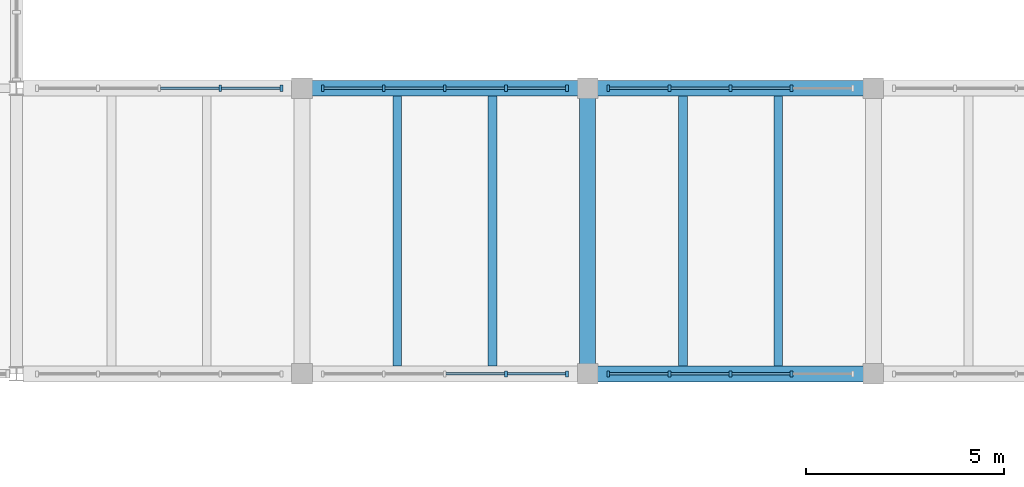
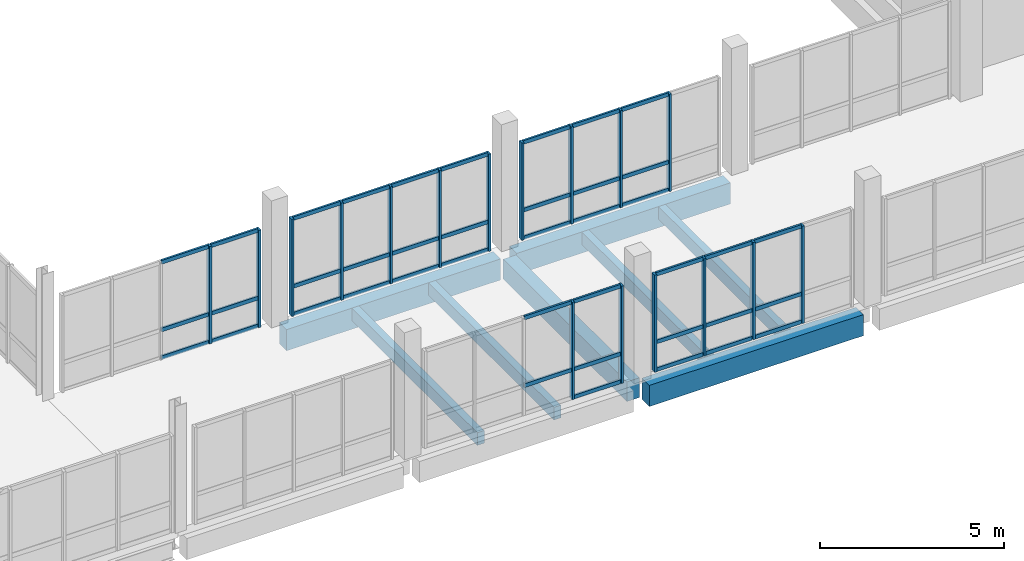
# One storey, part 27 of 72: 58 members, 8 beams, 5 elements without a shape of their own.
"""IFC4 building model written with IfcOpenShell, lengths in metres."""

from ifc_helpers import new_model, si_unit, direction, frame, origin, origin_2d, place, context, subcontext, project, spatial, rectangle, extrude, material, material_profile, profile_set, type_object, element, aggregate, save


model = new_model("IFC4")

# Units and contexts
model_context = context("Model", 3, precision=1e-05, world=origin(), true_north=direction((0.0, 1.0)))
body_context = subcontext(model_context, "Body", "Model", "MODEL_VIEW")
ifc_project = project(units=[si_unit("LENGTHUNIT", "METRE"), si_unit("AREAUNIT", "SQUARE_METRE"), si_unit("VOLUMEUNIT", "CUBIC_METRE"), si_unit("PLANEANGLEUNIT", "RADIAN"), si_unit("MASSUNIT", "GRAM", prefix="KILO")], contexts=[model_context])

# Site, building, storey
site_placement = place(None, origin())
site = spatial("IfcSite", under=ifc_project, at=site_placement, CompositionType="ELEMENT")
building_placement = place(site_placement, origin())
building = spatial("IfcBuilding", under=site, at=building_placement, Name="Qiaolan Assembly House", CompositionType="ELEMENT")
storey_placement = place(building_placement, frame((0.0, 0.0, 10.199951171875)))
storey = spatial("IfcBuildingStorey", under=building, at=storey_placement, Name="L02", CompositionType="ELEMENT", Elevation=10.199951171875)

# Beams
ifc_material_1 = material(Name="Concrete C40/50", Category="concrete")
ifc_material_profile_1 = material_profile(ifc_material_1, rectangle(XDim=0.39990234375, YDim=0.64990234375, at=origin_2d()), Name="RCB 400x650")
ifc_profile_set_1 = profile_set([ifc_material_profile_1], Name="Concrete C40/50")
beam_type_1 = type_object("IfcBeamType", Name="BM-RC-400x650", PredefinedType="BEAM", material=ifc_profile_set_1)
beam_1_placement = place(storey_placement, frame((122.39990234375, 36.25, -0.594970703125), z_axis=(0.0, 1.0, 0.0), x_axis=(-1.0, 0.0, 0.0)))
element("IfcBeam", 1, at=beam_1_placement, inside=storey, type_object=beam_type_1, Name="GB-06 beam BMY-CLS-L02-02-00", PredefinedType="BEAM", context=body_context, shape_type="SweptSolid", body=[
    extrude(rectangle(XDim=0.39990234375, YDim=0.64990234375, at=origin_2d()), origin(), (0.0, 0.0, 1.0), 6.699951171875),
])
ifc_material_profile_2 = material_profile(ifc_material_1, rectangle(XDim=0.39990234375, YDim=0.699951171875, at=origin_2d()), Name="RCB 400x700")
ifc_profile_set_2 = profile_set([ifc_material_profile_2], Name="Concrete C40/50")
beam_type_2 = type_object("IfcBeamType", Name="BM-RC-400x700", PredefinedType="BEAM", material=ifc_profile_set_2)
beam_2_placement = place(storey_placement, frame((122.64990234375, 36.0, -0.619873046875), z_axis=(1.0, 0.0, 0.0), x_axis=(0.0, 1.0, 0.0)))
element("IfcBeam", 2, at=beam_2_placement, inside=storey, type_object=beam_type_2, Name="GB-05 beam BMX-CLS-L02-02-00", PredefinedType="BEAM", context=body_context, shape_type="SweptSolid", body=[
    extrude(rectangle(XDim=0.39990234375, YDim=0.699951171875, at=origin_2d()), origin(), (0.0, 0.0, 1.0), 6.7001953125),
])
beam_3_placement = place(storey_placement, frame((115.449951171875, 43.199951171875, -0.619873046875), z_axis=(1.0, 0.0, 0.0), x_axis=(0.0, 1.0, 0.0)))
element("IfcBeam", 3, at=beam_3_placement, inside=storey, type_object=beam_type_2, Name="GB-05 beam BMX-CLS-L02-01-01", PredefinedType="BEAM", context=body_context, shape_type="SweptSolid", body=[
    extrude(rectangle(XDim=0.39990234375, YDim=0.699951171875, at=origin_2d()), origin(), (0.0, 0.0, 1.0), 6.699951171875),
])
beam_4_placement = place(storey_placement, frame((122.64990234375, 43.199951171875, -0.619873046875), z_axis=(1.0, 0.0, 0.0), x_axis=(0.0, 1.0, 0.0)))
element("IfcBeam", 4, at=beam_4_placement, inside=storey, type_object=beam_type_2, Name="GB-05 beam BMX-CLS-L02-02-01", PredefinedType="BEAM", context=body_context, shape_type="SweptSolid", body=[
    extrude(rectangle(XDim=0.39990234375, YDim=0.699951171875, at=origin_2d()), origin(), (0.0, 0.0, 1.0), 6.7001953125),
])

# Curtain wall, members
ifc_material_2 = material(Name="Anodised bronze aluminium", Category="aluminium")
curtain_wall_type = type_object("IfcCurtainWallType", Name="CW-CLOISTER-420", PredefinedType="NOTDEFINED", material=ifc_material_2)
curtain_wall_1_placement = place(storey_placement, origin())
curtain_wall_1 = element("IfcCurtainWall", 5, at=curtain_wall_1_placement, inside=storey, type_object=curtain_wall_type, Name="CW-05 South Cloister court arcade L02-1", PredefinedType="NOTDEFINED")
ifc_material_profile_3 = material_profile(ifc_material_2, rectangle(XDim=0.070068359375, YDim=0.155029296875, at=origin_2d()), Name="MUL 70x155")
ifc_profile_set_3 = profile_set([ifc_material_profile_3], Name="Anodised bronze aluminium")
member_type_1 = type_object("IfcMemberType", Name="CW-CLOISTER-420-MUL", PredefinedType="MULLION", material=ifc_profile_set_3)
member_1_placement = place(storey_placement, frame((114.679931640625, 43.199951171875, 0.0), z_axis=(0.0, 0.0, 1.0), x_axis=(-1.0, 0.0, 0.0)))
member_1 = element("IfcMember", 6, at=member_1_placement, type_object=member_type_1, Name="ML-06 mullion CW-CLS-CRT-L02-0-1", PredefinedType="MULLION", context=body_context, shape_type="SweptSolid", body=[
    extrude(rectangle(XDim=0.070068359375, YDim=0.155029296875, at=origin_2d()), origin(), (0.0, 0.0, 1.0), 3.219970703125),
])
member_2_placement = place(storey_placement, frame((113.139892578125, 43.199951171875, 0.0), z_axis=(0.0, 0.0, 1.0), x_axis=(-1.0, 0.0, 0.0)))
member_2 = element("IfcMember", 7, at=member_2_placement, type_object=member_type_1, Name="ML-06 mullion CW-CLS-CRT-L02-0-2", PredefinedType="MULLION", context=body_context, shape_type="SweptSolid", body=[
    extrude(rectangle(XDim=0.070068359375, YDim=0.155029296875, at=origin_2d()), origin(), (0.0, 0.0, 1.0), 3.219970703125),
])

curtain_wall_2_placement = place(storey_placement, origin())
curtain_wall_2 = element("IfcCurtainWall", 8, at=curtain_wall_2_placement, inside=storey, type_object=curtain_wall_type, Name="CW-05 South Cloister outer arcade L02-2", PredefinedType="NOTDEFINED")
member_3_placement = place(storey_placement, frame((120.340087890625, 36.0, 0.0), z_axis=(0.0, 0.0, 1.0), x_axis=(1.0, 0.0, 0.0)))
member_3 = element("IfcMember", 9, at=member_3_placement, type_object=member_type_1, Name="ML-06 mullion CW-CLS-OUT-L02-1-4", PredefinedType="MULLION", context=body_context, shape_type="SweptSolid", body=[
    extrude(rectangle(XDim=0.070068359375, YDim=0.155029296875, at=origin_2d()), origin(), (0.0, 0.0, 1.0), 3.219970703125),
])
member_4_placement = place(storey_placement, frame((121.8798828125, 36.0, 0.0), z_axis=(0.0, 0.0, 1.0), x_axis=(1.0, 0.0, 0.0)))
member_4 = element("IfcMember", 10, at=member_4_placement, type_object=member_type_1, Name="ML-06 mullion CW-CLS-OUT-L02-1-5", PredefinedType="MULLION", context=body_context, shape_type="SweptSolid", body=[
    extrude(rectangle(XDim=0.070068359375, YDim=0.155029296875, at=origin_2d()), origin(), (0.0, 0.0, 1.0), 3.219970703125),
])

curtain_wall_3_placement = place(storey_placement, origin())
curtain_wall_3 = element("IfcCurtainWall", 11, at=curtain_wall_3_placement, inside=storey, type_object=curtain_wall_type, Name="CW-05 South Cloister court arcade L02-2", PredefinedType="NOTDEFINED")
member_5_placement = place(storey_placement, frame((121.8798828125, 43.199951171875, 0.0), z_axis=(0.0, 0.0, 1.0), x_axis=(-1.0, 0.0, 0.0)))
member_5 = element("IfcMember", 12, at=member_5_placement, type_object=member_type_1, Name="ML-06 mullion CW-CLS-CRT-L02-1-1", PredefinedType="MULLION", context=body_context, shape_type="SweptSolid", body=[
    extrude(rectangle(XDim=0.070068359375, YDim=0.155029296875, at=origin_2d()), origin(), (0.0, 0.0, 1.0), 3.219970703125),
])
member_6_placement = place(storey_placement, frame((120.340087890625, 43.199951171875, 0.0), z_axis=(0.0, 0.0, 1.0), x_axis=(-1.0, 0.0, 0.0)))
member_6 = element("IfcMember", 13, at=member_6_placement, type_object=member_type_1, Name="ML-06 mullion CW-CLS-CRT-L02-1-2", PredefinedType="MULLION", context=body_context, shape_type="SweptSolid", body=[
    extrude(rectangle(XDim=0.070068359375, YDim=0.155029296875, at=origin_2d()), origin(), (0.0, 0.0, 1.0), 3.219970703125),
])
member_7_placement = place(storey_placement, frame((118.800048828125, 43.199951171875, 0.0), z_axis=(0.0, 0.0, 1.0), x_axis=(-1.0, 0.0, 0.0)))
member_7 = element("IfcMember", 14, at=member_7_placement, type_object=member_type_1, Name="ML-06 mullion CW-CLS-CRT-L02-1-3", PredefinedType="MULLION", context=body_context, shape_type="SweptSolid", body=[
    extrude(rectangle(XDim=0.070068359375, YDim=0.155029296875, at=origin_2d()), origin(), (0.0, 0.0, 1.0), 3.219970703125),
])
member_8_placement = place(storey_placement, frame((117.260009765625, 43.199951171875, 0.0), z_axis=(0.0, 0.0, 1.0), x_axis=(-1.0, 0.0, 0.0)))
member_8 = element("IfcMember", 15, at=member_8_placement, type_object=member_type_1, Name="ML-06 mullion CW-CLS-CRT-L02-1-4", PredefinedType="MULLION", context=body_context, shape_type="SweptSolid", body=[
    extrude(rectangle(XDim=0.070068359375, YDim=0.155029296875, at=origin_2d()), origin(), (0.0, 0.0, 1.0), 3.219970703125),
])
member_9_placement = place(storey_placement, frame((115.719970703125, 43.199951171875, 0.0), z_axis=(0.0, 0.0, 1.0), x_axis=(-1.0, 0.0, 0.0)))
member_9 = element("IfcMember", 16, at=member_9_placement, type_object=member_type_1, Name="ML-06 mullion CW-CLS-CRT-L02-1-5", PredefinedType="MULLION", context=body_context, shape_type="SweptSolid", body=[
    extrude(rectangle(XDim=0.070068359375, YDim=0.155029296875, at=origin_2d()), origin(), (0.0, 0.0, 1.0), 3.219970703125),
])

curtain_wall_4_placement = place(storey_placement, origin())
curtain_wall_4 = element("IfcCurtainWall", 17, at=curtain_wall_4_placement, inside=storey, type_object=curtain_wall_type, Name="CW-05 South Cloister outer arcade L02-3", PredefinedType="NOTDEFINED")
member_10_placement = place(storey_placement, frame((122.919921875, 36.0, 0.0), z_axis=(0.0, 0.0, 1.0), x_axis=(1.0, 0.0, 0.0)))
member_10 = element("IfcMember", 18, at=member_10_placement, type_object=member_type_1, Name="ML-06 mullion CW-CLS-OUT-L02-2-1", PredefinedType="MULLION", context=body_context, shape_type="SweptSolid", body=[
    extrude(rectangle(XDim=0.070068359375, YDim=0.155029296875, at=origin_2d()), origin(), (0.0, 0.0, 1.0), 3.219970703125),
])
member_11_placement = place(storey_placement, frame((124.4599609375, 36.0, 0.0), z_axis=(0.0, 0.0, 1.0), x_axis=(1.0, 0.0, 0.0)))
member_11 = element("IfcMember", 19, at=member_11_placement, type_object=member_type_1, Name="ML-06 mullion CW-CLS-OUT-L02-2-2", PredefinedType="MULLION", context=body_context, shape_type="SweptSolid", body=[
    extrude(rectangle(XDim=0.070068359375, YDim=0.155029296875, at=origin_2d()), origin(), (0.0, 0.0, 1.0), 3.219970703125),
])
member_12_placement = place(storey_placement, frame((126.0, 36.0, 0.0), z_axis=(0.0, 0.0, 1.0), x_axis=(1.0, 0.0, 0.0)))
member_12 = element("IfcMember", 20, at=member_12_placement, type_object=member_type_1, Name="ML-06 mullion CW-CLS-OUT-L02-2-3", PredefinedType="MULLION", context=body_context, shape_type="SweptSolid", body=[
    extrude(rectangle(XDim=0.070068359375, YDim=0.155029296875, at=origin_2d()), origin(), (0.0, 0.0, 1.0), 3.219970703125),
])
member_13_placement = place(storey_placement, frame((127.5400390625, 36.0, 0.0), z_axis=(0.0, 0.0, 1.0), x_axis=(1.0, 0.0, 0.0)))
member_13 = element("IfcMember", 21, at=member_13_placement, type_object=member_type_1, Name="ML-06 mullion CW-CLS-OUT-L02-2-4", PredefinedType="MULLION", context=body_context, shape_type="SweptSolid", body=[
    extrude(rectangle(XDim=0.070068359375, YDim=0.155029296875, at=origin_2d()), origin(), (0.0, 0.0, 1.0), 3.219970703125),
])

curtain_wall_5_placement = place(storey_placement, origin())
curtain_wall_5 = element("IfcCurtainWall", 22, at=curtain_wall_5_placement, inside=storey, type_object=curtain_wall_type, Name="CW-05 South Cloister court arcade L02-3", PredefinedType="NOTDEFINED")
member_14_placement = place(storey_placement, frame((127.5400390625, 43.199951171875, 0.0), z_axis=(0.0, 0.0, 1.0), x_axis=(-1.0, 0.0, 0.0)))
member_14 = element("IfcMember", 23, at=member_14_placement, type_object=member_type_1, Name="ML-06 mullion CW-CLS-CRT-L02-2-2", PredefinedType="MULLION", context=body_context, shape_type="SweptSolid", body=[
    extrude(rectangle(XDim=0.070068359375, YDim=0.155029296875, at=origin_2d()), origin(), (0.0, 0.0, 1.0), 3.219970703125),
])
member_15_placement = place(storey_placement, frame((126.0, 43.199951171875, 0.0), z_axis=(0.0, 0.0, 1.0), x_axis=(-1.0, 0.0, 0.0)))
member_15 = element("IfcMember", 24, at=member_15_placement, type_object=member_type_1, Name="ML-06 mullion CW-CLS-CRT-L02-2-3", PredefinedType="MULLION", context=body_context, shape_type="SweptSolid", body=[
    extrude(rectangle(XDim=0.070068359375, YDim=0.155029296875, at=origin_2d()), origin(), (0.0, 0.0, 1.0), 3.219970703125),
])
member_16_placement = place(storey_placement, frame((124.4599609375, 43.199951171875, 0.0), z_axis=(0.0, 0.0, 1.0), x_axis=(-1.0, 0.0, 0.0)))
member_16 = element("IfcMember", 25, at=member_16_placement, type_object=member_type_1, Name="ML-06 mullion CW-CLS-CRT-L02-2-4", PredefinedType="MULLION", context=body_context, shape_type="SweptSolid", body=[
    extrude(rectangle(XDim=0.070068359375, YDim=0.155029296875, at=origin_2d()), origin(), (0.0, 0.0, 1.0), 3.219970703125),
])
member_17_placement = place(storey_placement, frame((122.919921875, 43.199951171875, 0.0), z_axis=(0.0, 0.0, 1.0), x_axis=(-1.0, 0.0, 0.0)))
member_17 = element("IfcMember", 26, at=member_17_placement, type_object=member_type_1, Name="ML-06 mullion CW-CLS-CRT-L02-2-5", PredefinedType="MULLION", context=body_context, shape_type="SweptSolid", body=[
    extrude(rectangle(XDim=0.070068359375, YDim=0.155029296875, at=origin_2d()), origin(), (0.0, 0.0, 1.0), 3.219970703125),
])

# Member
ifc_material_profile_4 = material_profile(ifc_material_2, rectangle(XDim=0.06201171875, YDim=0.125, at=origin_2d()), Name="TRN 62x125")
ifc_profile_set_4 = profile_set([ifc_material_profile_4], Name="Anodised bronze aluminium")
member_type_2 = type_object("IfcMemberType", Name="CW-CLOISTER-420-TRN", PredefinedType="USERDEFINED", material=ifc_profile_set_4)
member_18_placement = place(storey_placement, frame((114.64501953125, 43.199951171875, 0.030029296875), z_axis=(-1.0, 0.0, 0.0), x_axis=(0.0, -1.0, 0.0)))
member_18 = element("IfcMember", 27, at=member_18_placement, type_object=member_type_2, Name="TR-06 transom CW-CLS-CRT-L02-0-1-1", ObjectType="TRANSOM", PredefinedType="USERDEFINED", context=body_context, shape_type="SweptSolid", body=[
    extrude(rectangle(XDim=0.06201171875, YDim=0.125, at=origin_2d()), origin(), (0.0, 0.0, 1.0), 1.469970703125),
])

member_19_placement = place(storey_placement, frame((114.64501953125, 43.199951171875, 0.949951171875), z_axis=(-1.0, 0.0, 0.0), x_axis=(0.0, -1.0, 0.0)))
member_19 = element("IfcMember", 28, at=member_19_placement, type_object=member_type_2, Name="TR-06 transom CW-CLS-CRT-L02-0-1-2", ObjectType="TRANSOM", PredefinedType="USERDEFINED", context=body_context, shape_type="SweptSolid", body=[
    extrude(rectangle(XDim=0.06201171875, YDim=0.125, at=origin_2d()), origin(), (0.0, 0.0, 1.0), 1.469970703125),
])

member_20_placement = place(storey_placement, frame((114.64501953125, 43.199951171875, 3.18994140625), z_axis=(-1.0, 0.0, 0.0), x_axis=(0.0, -1.0, 0.0)))
member_20 = element("IfcMember", 29, at=member_20_placement, type_object=member_type_2, Name="TR-06 transom CW-CLS-CRT-L02-0-1-3", ObjectType="TRANSOM", PredefinedType="USERDEFINED", context=body_context, shape_type="SweptSolid", body=[
    extrude(rectangle(XDim=0.06201171875, YDim=0.125, at=origin_2d()), origin(), (0.0, 0.0, 1.0), 1.469970703125),
])

member_21_placement = place(storey_placement, frame((113.10498046875, 43.199951171875, 0.030029296875), z_axis=(-1.0, 0.0, 0.0), x_axis=(0.0, -1.0, 0.0)))
member_21 = element("IfcMember", 30, at=member_21_placement, type_object=member_type_2, Name="TR-06 transom CW-CLS-CRT-L02-0-2-1", ObjectType="TRANSOM", PredefinedType="USERDEFINED", context=body_context, shape_type="SweptSolid", body=[
    extrude(rectangle(XDim=0.06201171875, YDim=0.125, at=origin_2d()), origin(), (0.0, 0.0, 1.0), 1.469970703125),
])

member_22_placement = place(storey_placement, frame((113.10498046875, 43.199951171875, 0.949951171875), z_axis=(-1.0, 0.0, 0.0), x_axis=(0.0, -1.0, 0.0)))
member_22 = element("IfcMember", 31, at=member_22_placement, type_object=member_type_2, Name="TR-06 transom CW-CLS-CRT-L02-0-2-2", ObjectType="TRANSOM", PredefinedType="USERDEFINED", context=body_context, shape_type="SweptSolid", body=[
    extrude(rectangle(XDim=0.06201171875, YDim=0.125, at=origin_2d()), origin(), (0.0, 0.0, 1.0), 1.469970703125),
])

member_23_placement = place(storey_placement, frame((113.10498046875, 43.199951171875, 3.18994140625), z_axis=(-1.0, 0.0, 0.0), x_axis=(0.0, -1.0, 0.0)))
member_23 = element("IfcMember", 32, at=member_23_placement, type_object=member_type_2, Name="TR-06 transom CW-CLS-CRT-L02-0-2-3", ObjectType="TRANSOM", PredefinedType="USERDEFINED", context=body_context, shape_type="SweptSolid", body=[
    extrude(rectangle(XDim=0.06201171875, YDim=0.125, at=origin_2d()), origin(), (0.0, 0.0, 1.0), 1.469970703125),
])

aggregate(curtain_wall_1, [member_1, member_2, member_18, member_19, member_20, member_21, member_22, member_23])

member_24_placement = place(storey_placement, frame((118.8349609375, 36.0, 0.949951171875), z_axis=(1.0, 0.0, 0.0), x_axis=(0.0, 1.0, 0.0)))
member_24 = element("IfcMember", 33, at=member_24_placement, type_object=member_type_2, Name="TR-06 transom CW-CLS-OUT-L02-1-3-2", ObjectType="TRANSOM", PredefinedType="USERDEFINED", context=body_context, shape_type="SweptSolid", body=[
    extrude(rectangle(XDim=0.06201171875, YDim=0.125, at=origin_2d()), origin(), (0.0, 0.0, 1.0), 1.469970703125),
])

member_25_placement = place(storey_placement, frame((118.8349609375, 36.0, 3.18994140625), z_axis=(1.0, 0.0, 0.0), x_axis=(0.0, 1.0, 0.0)))
member_25 = element("IfcMember", 34, at=member_25_placement, type_object=member_type_2, Name="TR-06 transom CW-CLS-OUT-L02-1-3-3", ObjectType="TRANSOM", PredefinedType="USERDEFINED", context=body_context, shape_type="SweptSolid", body=[
    extrude(rectangle(XDim=0.06201171875, YDim=0.125, at=origin_2d()), origin(), (0.0, 0.0, 1.0), 1.469970703125),
])

member_26_placement = place(storey_placement, frame((120.375, 36.0, 0.030029296875), z_axis=(1.0, 0.0, 0.0), x_axis=(0.0, 1.0, 0.0)))
member_26 = element("IfcMember", 35, at=member_26_placement, type_object=member_type_2, Name="TR-06 transom CW-CLS-OUT-L02-1-4-1", ObjectType="TRANSOM", PredefinedType="USERDEFINED", context=body_context, shape_type="SweptSolid", body=[
    extrude(rectangle(XDim=0.06201171875, YDim=0.125, at=origin_2d()), origin(), (0.0, 0.0, 1.0), 1.469970703125),
])

member_27_placement = place(storey_placement, frame((120.375, 36.0, 0.949951171875), z_axis=(1.0, 0.0, 0.0), x_axis=(0.0, 1.0, 0.0)))
member_27 = element("IfcMember", 36, at=member_27_placement, type_object=member_type_2, Name="TR-06 transom CW-CLS-OUT-L02-1-4-2", ObjectType="TRANSOM", PredefinedType="USERDEFINED", context=body_context, shape_type="SweptSolid", body=[
    extrude(rectangle(XDim=0.06201171875, YDim=0.125, at=origin_2d()), origin(), (0.0, 0.0, 1.0), 1.469970703125),
])

member_28_placement = place(storey_placement, frame((120.375, 36.0, 3.18994140625), z_axis=(1.0, 0.0, 0.0), x_axis=(0.0, 1.0, 0.0)))
member_28 = element("IfcMember", 37, at=member_28_placement, type_object=member_type_2, Name="TR-06 transom CW-CLS-OUT-L02-1-4-3", ObjectType="TRANSOM", PredefinedType="USERDEFINED", context=body_context, shape_type="SweptSolid", body=[
    extrude(rectangle(XDim=0.06201171875, YDim=0.125, at=origin_2d()), origin(), (0.0, 0.0, 1.0), 1.469970703125),
])

aggregate(curtain_wall_2, [member_3, member_4, member_24, member_25, member_26, member_27, member_28])

member_29_placement = place(storey_placement, frame((121.844970703125, 43.199951171875, 0.030029296875), z_axis=(-1.0, 0.0, 0.0), x_axis=(0.0, -1.0, 0.0)))
member_29 = element("IfcMember", 38, at=member_29_placement, type_object=member_type_2, Name="TR-06 transom CW-CLS-CRT-L02-1-1-1", ObjectType="TRANSOM", PredefinedType="USERDEFINED", context=body_context, shape_type="SweptSolid", body=[
    extrude(rectangle(XDim=0.06201171875, YDim=0.125, at=origin_2d()), origin(), (0.0, 0.0, 1.0), 1.469970703125),
])

member_30_placement = place(storey_placement, frame((121.844970703125, 43.199951171875, 0.949951171875), z_axis=(-1.0, 0.0, 0.0), x_axis=(0.0, -1.0, 0.0)))
member_30 = element("IfcMember", 39, at=member_30_placement, type_object=member_type_2, Name="TR-06 transom CW-CLS-CRT-L02-1-1-2", ObjectType="TRANSOM", PredefinedType="USERDEFINED", context=body_context, shape_type="SweptSolid", body=[
    extrude(rectangle(XDim=0.06201171875, YDim=0.125, at=origin_2d()), origin(), (0.0, 0.0, 1.0), 1.469970703125),
])

member_31_placement = place(storey_placement, frame((121.844970703125, 43.199951171875, 3.18994140625), z_axis=(-1.0, 0.0, 0.0), x_axis=(0.0, -1.0, 0.0)))
member_31 = element("IfcMember", 40, at=member_31_placement, type_object=member_type_2, Name="TR-06 transom CW-CLS-CRT-L02-1-1-3", ObjectType="TRANSOM", PredefinedType="USERDEFINED", context=body_context, shape_type="SweptSolid", body=[
    extrude(rectangle(XDim=0.06201171875, YDim=0.125, at=origin_2d()), origin(), (0.0, 0.0, 1.0), 1.469970703125),
])

member_32_placement = place(storey_placement, frame((120.304931640625, 43.199951171875, 0.030029296875), z_axis=(-1.0, 0.0, 0.0), x_axis=(0.0, -1.0, 0.0)))
member_32 = element("IfcMember", 41, at=member_32_placement, type_object=member_type_2, Name="TR-06 transom CW-CLS-CRT-L02-1-2-1", ObjectType="TRANSOM", PredefinedType="USERDEFINED", context=body_context, shape_type="SweptSolid", body=[
    extrude(rectangle(XDim=0.06201171875, YDim=0.125, at=origin_2d()), origin(), (0.0, 0.0, 1.0), 1.469970703125),
])

member_33_placement = place(storey_placement, frame((120.304931640625, 43.199951171875, 0.949951171875), z_axis=(-1.0, 0.0, 0.0), x_axis=(0.0, -1.0, 0.0)))
member_33 = element("IfcMember", 42, at=member_33_placement, type_object=member_type_2, Name="TR-06 transom CW-CLS-CRT-L02-1-2-2", ObjectType="TRANSOM", PredefinedType="USERDEFINED", context=body_context, shape_type="SweptSolid", body=[
    extrude(rectangle(XDim=0.06201171875, YDim=0.125, at=origin_2d()), origin(), (0.0, 0.0, 1.0), 1.469970703125),
])

member_34_placement = place(storey_placement, frame((120.304931640625, 43.199951171875, 3.18994140625), z_axis=(-1.0, 0.0, 0.0), x_axis=(0.0, -1.0, 0.0)))
member_34 = element("IfcMember", 43, at=member_34_placement, type_object=member_type_2, Name="TR-06 transom CW-CLS-CRT-L02-1-2-3", ObjectType="TRANSOM", PredefinedType="USERDEFINED", context=body_context, shape_type="SweptSolid", body=[
    extrude(rectangle(XDim=0.06201171875, YDim=0.125, at=origin_2d()), origin(), (0.0, 0.0, 1.0), 1.469970703125),
])

member_35_placement = place(storey_placement, frame((118.764892578125, 43.199951171875, 0.030029296875), z_axis=(-1.0, 0.0, 0.0), x_axis=(0.0, -1.0, 0.0)))
member_35 = element("IfcMember", 44, at=member_35_placement, type_object=member_type_2, Name="TR-06 transom CW-CLS-CRT-L02-1-3-1", ObjectType="TRANSOM", PredefinedType="USERDEFINED", context=body_context, shape_type="SweptSolid", body=[
    extrude(rectangle(XDim=0.06201171875, YDim=0.125, at=origin_2d()), origin(), (0.0, 0.0, 1.0), 1.469970703125),
])

member_36_placement = place(storey_placement, frame((118.764892578125, 43.199951171875, 0.949951171875), z_axis=(-1.0, 0.0, 0.0), x_axis=(0.0, -1.0, 0.0)))
member_36 = element("IfcMember", 45, at=member_36_placement, type_object=member_type_2, Name="TR-06 transom CW-CLS-CRT-L02-1-3-2", ObjectType="TRANSOM", PredefinedType="USERDEFINED", context=body_context, shape_type="SweptSolid", body=[
    extrude(rectangle(XDim=0.06201171875, YDim=0.125, at=origin_2d()), origin(), (0.0, 0.0, 1.0), 1.469970703125),
])

member_37_placement = place(storey_placement, frame((118.764892578125, 43.199951171875, 3.18994140625), z_axis=(-1.0, 0.0, 0.0), x_axis=(0.0, -1.0, 0.0)))
member_37 = element("IfcMember", 46, at=member_37_placement, type_object=member_type_2, Name="TR-06 transom CW-CLS-CRT-L02-1-3-3", ObjectType="TRANSOM", PredefinedType="USERDEFINED", context=body_context, shape_type="SweptSolid", body=[
    extrude(rectangle(XDim=0.06201171875, YDim=0.125, at=origin_2d()), origin(), (0.0, 0.0, 1.0), 1.469970703125),
])

member_38_placement = place(storey_placement, frame((117.22509765625, 43.199951171875, 0.030029296875), z_axis=(-1.0, 0.0, 0.0), x_axis=(0.0, -1.0, 0.0)))
member_38 = element("IfcMember", 47, at=member_38_placement, type_object=member_type_2, Name="TR-06 transom CW-CLS-CRT-L02-1-4-1", ObjectType="TRANSOM", PredefinedType="USERDEFINED", context=body_context, shape_type="SweptSolid", body=[
    extrude(rectangle(XDim=0.06201171875, YDim=0.125, at=origin_2d()), origin(), (0.0, 0.0, 1.0), 1.47021484375),
])

member_39_placement = place(storey_placement, frame((117.22509765625, 43.199951171875, 0.949951171875), z_axis=(-1.0, 0.0, 0.0), x_axis=(0.0, -1.0, 0.0)))
member_39 = element("IfcMember", 48, at=member_39_placement, type_object=member_type_2, Name="TR-06 transom CW-CLS-CRT-L02-1-4-2", ObjectType="TRANSOM", PredefinedType="USERDEFINED", context=body_context, shape_type="SweptSolid", body=[
    extrude(rectangle(XDim=0.06201171875, YDim=0.125, at=origin_2d()), origin(), (0.0, 0.0, 1.0), 1.47021484375),
])

member_40_placement = place(storey_placement, frame((117.22509765625, 43.199951171875, 3.18994140625), z_axis=(-1.0, 0.0, 0.0), x_axis=(0.0, -1.0, 0.0)))
member_40 = element("IfcMember", 49, at=member_40_placement, type_object=member_type_2, Name="TR-06 transom CW-CLS-CRT-L02-1-4-3", ObjectType="TRANSOM", PredefinedType="USERDEFINED", context=body_context, shape_type="SweptSolid", body=[
    extrude(rectangle(XDim=0.06201171875, YDim=0.125, at=origin_2d()), origin(), (0.0, 0.0, 1.0), 1.47021484375),
])

aggregate(curtain_wall_3, [member_5, member_6, member_7, member_8, member_9, member_29, member_30, member_31, member_32, member_33, member_34, member_35, member_36, member_37, member_38, member_39, member_40])

member_41_placement = place(storey_placement, frame((122.955078125, 36.0, 0.030029296875), z_axis=(1.0, 0.0, 0.0), x_axis=(0.0, 1.0, 0.0)))
member_41 = element("IfcMember", 50, at=member_41_placement, type_object=member_type_2, Name="TR-06 transom CW-CLS-OUT-L02-2-1-1", ObjectType="TRANSOM", PredefinedType="USERDEFINED", context=body_context, shape_type="SweptSolid", body=[
    extrude(rectangle(XDim=0.06201171875, YDim=0.125, at=origin_2d()), origin(), (0.0, 0.0, 1.0), 1.469970703125),
])

member_42_placement = place(storey_placement, frame((122.955078125, 36.0, 0.949951171875), z_axis=(1.0, 0.0, 0.0), x_axis=(0.0, 1.0, 0.0)))
member_42 = element("IfcMember", 51, at=member_42_placement, type_object=member_type_2, Name="TR-06 transom CW-CLS-OUT-L02-2-1-2", ObjectType="TRANSOM", PredefinedType="USERDEFINED", context=body_context, shape_type="SweptSolid", body=[
    extrude(rectangle(XDim=0.06201171875, YDim=0.125, at=origin_2d()), origin(), (0.0, 0.0, 1.0), 1.469970703125),
])

member_43_placement = place(storey_placement, frame((122.955078125, 36.0, 3.18994140625), z_axis=(1.0, 0.0, 0.0), x_axis=(0.0, 1.0, 0.0)))
member_43 = element("IfcMember", 52, at=member_43_placement, type_object=member_type_2, Name="TR-06 transom CW-CLS-OUT-L02-2-1-3", ObjectType="TRANSOM", PredefinedType="USERDEFINED", context=body_context, shape_type="SweptSolid", body=[
    extrude(rectangle(XDim=0.06201171875, YDim=0.125, at=origin_2d()), origin(), (0.0, 0.0, 1.0), 1.469970703125),
])

member_44_placement = place(storey_placement, frame((124.4951171875, 36.0, 0.030029296875), z_axis=(1.0, 0.0, 0.0), x_axis=(0.0, 1.0, 0.0)))
member_44 = element("IfcMember", 53, at=member_44_placement, type_object=member_type_2, Name="TR-06 transom CW-CLS-OUT-L02-2-2-1", ObjectType="TRANSOM", PredefinedType="USERDEFINED", context=body_context, shape_type="SweptSolid", body=[
    extrude(rectangle(XDim=0.06201171875, YDim=0.125, at=origin_2d()), origin(), (0.0, 0.0, 1.0), 1.469970703125),
])

member_45_placement = place(storey_placement, frame((124.4951171875, 36.0, 0.949951171875), z_axis=(1.0, 0.0, 0.0), x_axis=(0.0, 1.0, 0.0)))
member_45 = element("IfcMember", 54, at=member_45_placement, type_object=member_type_2, Name="TR-06 transom CW-CLS-OUT-L02-2-2-2", ObjectType="TRANSOM", PredefinedType="USERDEFINED", context=body_context, shape_type="SweptSolid", body=[
    extrude(rectangle(XDim=0.06201171875, YDim=0.125, at=origin_2d()), origin(), (0.0, 0.0, 1.0), 1.469970703125),
])

member_46_placement = place(storey_placement, frame((124.4951171875, 36.0, 3.18994140625), z_axis=(1.0, 0.0, 0.0), x_axis=(0.0, 1.0, 0.0)))
member_46 = element("IfcMember", 55, at=member_46_placement, type_object=member_type_2, Name="TR-06 transom CW-CLS-OUT-L02-2-2-3", ObjectType="TRANSOM", PredefinedType="USERDEFINED", context=body_context, shape_type="SweptSolid", body=[
    extrude(rectangle(XDim=0.06201171875, YDim=0.125, at=origin_2d()), origin(), (0.0, 0.0, 1.0), 1.469970703125),
])

member_47_placement = place(storey_placement, frame((126.034912109375, 36.0, 0.030029296875), z_axis=(1.0, 0.0, 0.0), x_axis=(0.0, 1.0, 0.0)))
member_47 = element("IfcMember", 56, at=member_47_placement, type_object=member_type_2, Name="TR-06 transom CW-CLS-OUT-L02-2-3-1", ObjectType="TRANSOM", PredefinedType="USERDEFINED", context=body_context, shape_type="SweptSolid", body=[
    extrude(rectangle(XDim=0.06201171875, YDim=0.125, at=origin_2d()), origin(), (0.0, 0.0, 1.0), 1.469970703125),
])

member_48_placement = place(storey_placement, frame((126.034912109375, 36.0, 0.949951171875), z_axis=(1.0, 0.0, 0.0), x_axis=(0.0, 1.0, 0.0)))
member_48 = element("IfcMember", 57, at=member_48_placement, type_object=member_type_2, Name="TR-06 transom CW-CLS-OUT-L02-2-3-2", ObjectType="TRANSOM", PredefinedType="USERDEFINED", context=body_context, shape_type="SweptSolid", body=[
    extrude(rectangle(XDim=0.06201171875, YDim=0.125, at=origin_2d()), origin(), (0.0, 0.0, 1.0), 1.469970703125),
])

member_49_placement = place(storey_placement, frame((126.034912109375, 36.0, 3.18994140625), z_axis=(1.0, 0.0, 0.0), x_axis=(0.0, 1.0, 0.0)))
member_49 = element("IfcMember", 58, at=member_49_placement, type_object=member_type_2, Name="TR-06 transom CW-CLS-OUT-L02-2-3-3", ObjectType="TRANSOM", PredefinedType="USERDEFINED", context=body_context, shape_type="SweptSolid", body=[
    extrude(rectangle(XDim=0.06201171875, YDim=0.125, at=origin_2d()), origin(), (0.0, 0.0, 1.0), 1.469970703125),
])

aggregate(curtain_wall_4, [member_10, member_11, member_12, member_13, member_41, member_42, member_43, member_44, member_45, member_46, member_47, member_48, member_49])

member_50_placement = place(storey_placement, frame((127.5048828125, 43.199951171875, 0.030029296875), z_axis=(-1.0, 0.0, 0.0), x_axis=(0.0, -1.0, 0.0)))
member_50 = element("IfcMember", 59, at=member_50_placement, type_object=member_type_2, Name="TR-06 transom CW-CLS-CRT-L02-2-2-1", ObjectType="TRANSOM", PredefinedType="USERDEFINED", context=body_context, shape_type="SweptSolid", body=[
    extrude(rectangle(XDim=0.06201171875, YDim=0.125, at=origin_2d()), origin(), (0.0, 0.0, 1.0), 1.469970703125),
])

member_51_placement = place(storey_placement, frame((127.5048828125, 43.199951171875, 0.949951171875), z_axis=(-1.0, 0.0, 0.0), x_axis=(0.0, -1.0, 0.0)))
member_51 = element("IfcMember", 60, at=member_51_placement, type_object=member_type_2, Name="TR-06 transom CW-CLS-CRT-L02-2-2-2", ObjectType="TRANSOM", PredefinedType="USERDEFINED", context=body_context, shape_type="SweptSolid", body=[
    extrude(rectangle(XDim=0.06201171875, YDim=0.125, at=origin_2d()), origin(), (0.0, 0.0, 1.0), 1.469970703125),
])

member_52_placement = place(storey_placement, frame((127.5048828125, 43.199951171875, 3.18994140625), z_axis=(-1.0, 0.0, 0.0), x_axis=(0.0, -1.0, 0.0)))
member_52 = element("IfcMember", 61, at=member_52_placement, type_object=member_type_2, Name="TR-06 transom CW-CLS-CRT-L02-2-2-3", ObjectType="TRANSOM", PredefinedType="USERDEFINED", context=body_context, shape_type="SweptSolid", body=[
    extrude(rectangle(XDim=0.06201171875, YDim=0.125, at=origin_2d()), origin(), (0.0, 0.0, 1.0), 1.469970703125),
])

member_53_placement = place(storey_placement, frame((125.965087890625, 43.199951171875, 0.030029296875), z_axis=(-1.0, 0.0, 0.0), x_axis=(0.0, -1.0, 0.0)))
member_53 = element("IfcMember", 62, at=member_53_placement, type_object=member_type_2, Name="TR-06 transom CW-CLS-CRT-L02-2-3-1", ObjectType="TRANSOM", PredefinedType="USERDEFINED", context=body_context, shape_type="SweptSolid", body=[
    extrude(rectangle(XDim=0.06201171875, YDim=0.125, at=origin_2d()), origin(), (0.0, 0.0, 1.0), 1.469970703125),
])

member_54_placement = place(storey_placement, frame((125.965087890625, 43.199951171875, 0.949951171875), z_axis=(-1.0, 0.0, 0.0), x_axis=(0.0, -1.0, 0.0)))
member_54 = element("IfcMember", 63, at=member_54_placement, type_object=member_type_2, Name="TR-06 transom CW-CLS-CRT-L02-2-3-2", ObjectType="TRANSOM", PredefinedType="USERDEFINED", context=body_context, shape_type="SweptSolid", body=[
    extrude(rectangle(XDim=0.06201171875, YDim=0.125, at=origin_2d()), origin(), (0.0, 0.0, 1.0), 1.469970703125),
])

member_55_placement = place(storey_placement, frame((125.965087890625, 43.199951171875, 3.18994140625), z_axis=(-1.0, 0.0, 0.0), x_axis=(0.0, -1.0, 0.0)))
member_55 = element("IfcMember", 64, at=member_55_placement, type_object=member_type_2, Name="TR-06 transom CW-CLS-CRT-L02-2-3-3", ObjectType="TRANSOM", PredefinedType="USERDEFINED", context=body_context, shape_type="SweptSolid", body=[
    extrude(rectangle(XDim=0.06201171875, YDim=0.125, at=origin_2d()), origin(), (0.0, 0.0, 1.0), 1.469970703125),
])

member_56_placement = place(storey_placement, frame((124.425048828125, 43.199951171875, 0.030029296875), z_axis=(-1.0, 0.0, 0.0), x_axis=(0.0, -1.0, 0.0)))
member_56 = element("IfcMember", 65, at=member_56_placement, type_object=member_type_2, Name="TR-06 transom CW-CLS-CRT-L02-2-4-1", ObjectType="TRANSOM", PredefinedType="USERDEFINED", context=body_context, shape_type="SweptSolid", body=[
    extrude(rectangle(XDim=0.06201171875, YDim=0.125, at=origin_2d()), origin(), (0.0, 0.0, 1.0), 1.469970703125),
])

member_57_placement = place(storey_placement, frame((124.425048828125, 43.199951171875, 0.949951171875), z_axis=(-1.0, 0.0, 0.0), x_axis=(0.0, -1.0, 0.0)))
member_57 = element("IfcMember", 66, at=member_57_placement, type_object=member_type_2, Name="TR-06 transom CW-CLS-CRT-L02-2-4-2", ObjectType="TRANSOM", PredefinedType="USERDEFINED", context=body_context, shape_type="SweptSolid", body=[
    extrude(rectangle(XDim=0.06201171875, YDim=0.125, at=origin_2d()), origin(), (0.0, 0.0, 1.0), 1.469970703125),
])

member_58_placement = place(storey_placement, frame((124.425048828125, 43.199951171875, 3.18994140625), z_axis=(-1.0, 0.0, 0.0), x_axis=(0.0, -1.0, 0.0)))
member_58 = element("IfcMember", 67, at=member_58_placement, type_object=member_type_2, Name="TR-06 transom CW-CLS-CRT-L02-2-4-3", ObjectType="TRANSOM", PredefinedType="USERDEFINED", context=body_context, shape_type="SweptSolid", body=[
    extrude(rectangle(XDim=0.06201171875, YDim=0.125, at=origin_2d()), origin(), (0.0, 0.0, 1.0), 1.469970703125),
])

aggregate(curtain_wall_5, [member_14, member_15, member_16, member_17, member_50, member_51, member_52, member_53, member_54, member_55, member_56, member_57, member_58])

# Beams
ifc_material_profile_5 = material_profile(ifc_material_1, rectangle(XDim=0.219970703125, YDim=0.419921875, at=origin_2d()), Name="RCB 220x420")
ifc_profile_set_5 = profile_set([ifc_material_profile_5], Name="Concrete C40/50")
beam_type_3 = type_object("IfcBeamType", Name="JST-RC-220x420", PredefinedType="JOIST", material=ifc_profile_set_5)
for number, where, z_axis, x_axis, name in (
    (68, (117.60009765625, 36.194091796875, -0.47998046875), (0.0, 1.0, 0.0), (-1.0, 0.0, 0.0), "RJ-03 beam JST-CLS-L02-01-00-1"),
    (69, (120.0, 36.194091796875, -0.47998046875), (0.0, 1.0, 0.0), (-1.0, 0.0, 0.0), "RJ-03 beam JST-CLS-L02-01-00-2"),
    (70, (124.800048828125, 36.194091796875, -0.47998046875), (0.0, 1.0, 0.0), (-1.0, 0.0, 0.0), "RJ-03 beam JST-CLS-L02-02-00-1"),
    (71, (127.199951171875, 36.194091796875, -0.47998046875), (0.0, 1.0, 0.0), (-1.0, 0.0, 0.0), "RJ-03 beam JST-CLS-L02-02-00-2"),
):
    element("IfcBeam", number, at=place(storey_placement, frame(where, z_axis=z_axis, x_axis=x_axis)), inside=storey, type_object=beam_type_3, Name=name, PredefinedType="JOIST", context=body_context, shape_type="SweptSolid", body=[
        extrude(rectangle(XDim=0.219970703125, YDim=0.419921875, at=origin_2d()), origin(), (0.0, 0.0, 1.0), 6.81201171875),
    ])

save(model, "model.ifc")
